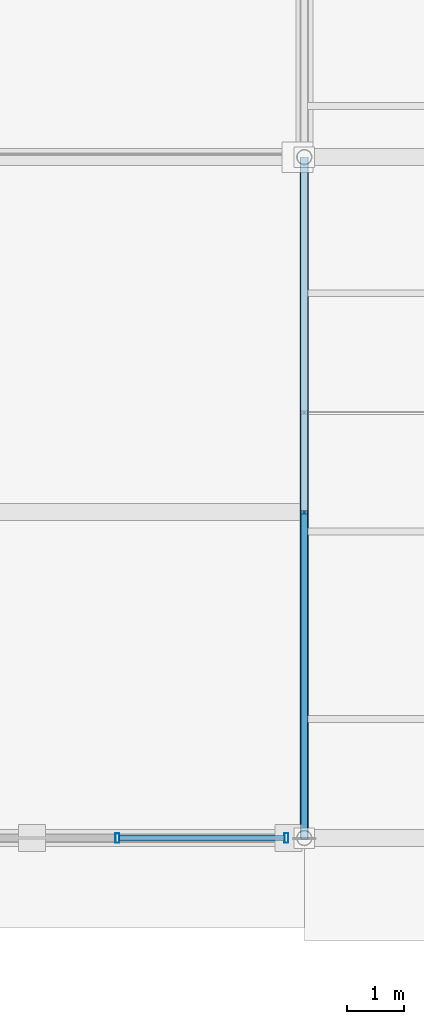
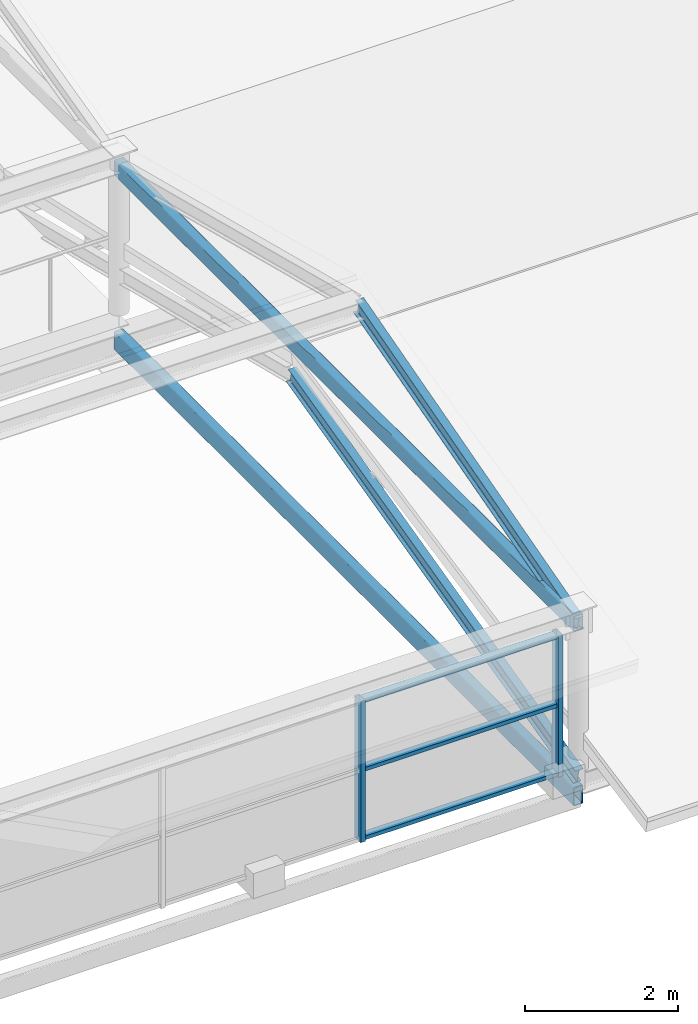
# One storey, part 44 of 117: 7 members, 2 beams, 1 element without a shape of its own.
"""IFC4 building model written with IfcOpenShell, lengths in metres."""

from ifc_helpers import new_model, si_unit, direction, frame, origin, origin_2d, place, context, subcontext, project, spatial, hollow_rectangle, i_section, extrude, material, material_profile, profile_set, type_object, element, aggregate, save


model = new_model("IFC4")

# Units and contexts
model_context = context("Model", 3, precision=1e-05, world=origin(), true_north=direction((0.0, 1.0)))
body_context = subcontext(model_context, "Body", "Model", "MODEL_VIEW")
ifc_project = project(units=[si_unit("LENGTHUNIT", "METRE"), si_unit("AREAUNIT", "SQUARE_METRE"), si_unit("VOLUMEUNIT", "CUBIC_METRE"), si_unit("PLANEANGLEUNIT", "RADIAN"), si_unit("MASSUNIT", "GRAM", prefix="KILO")], contexts=[model_context])

# Site, building, storey
site_placement = place(None, origin())
site = spatial("IfcSite", under=ifc_project, at=site_placement, CompositionType="ELEMENT")
building_placement = place(site_placement, origin())
building = spatial("IfcBuilding", under=site, at=building_placement, Name="Merenkruunu Market Hall", CompositionType="ELEMENT")
storey_placement = place(building_placement, frame((0.0, 0.0, 10.199951171875)))
storey = spatial("IfcBuildingStorey", under=building, at=storey_placement, Name="L02", CompositionType="ELEMENT", Elevation=10.199951171875)

# Curtain wall, members
ifc_material_1 = material(Name="Powder-coated aluminium", Category="aluminium")
curtain_wall_type = type_object("IfcCurtainWallType", Name="Glazed Curtain Wall CW16", PredefinedType="USERDEFINED", material=ifc_material_1)
curtain_wall_placement = place(storey_placement, origin())
curtain_wall = element("IfcCurtainWall", 1, at=curtain_wall_placement, inside=storey, type_object=curtain_wall_type, Name="CW-L02-CWM04-147", ObjectType="GLAZED_FACADE", PredefinedType="USERDEFINED")
ifc_material_profile_1 = material_profile(ifc_material_1, hollow_rectangle(XDim=0.070068359375, YDim=0.169921875, WallThickness=0.0048828125, at=origin_2d()), Name="ALU 70x170x5")
ifc_profile_set_1 = profile_set([ifc_material_profile_1], Name="Powder-coated aluminium")
member_type_1 = type_object("IfcMemberType", Name="Curtain Wall Mullion CWM04", PredefinedType="MULLION", material=ifc_profile_set_1)
member_1_placement = place(storey_placement, frame((76.485107421875, 15.60009765625, 0.0), z_axis=(0.0, 0.0, 1.0), x_axis=(-1.0, 0.0, 0.0)))
member_1 = element("IfcMember", 2, at=member_1_placement, type_object=member_type_1, Name="CW16 mullion 1", PredefinedType="MULLION", context=body_context, shape_type="SweptSolid", body=[
    extrude(hollow_rectangle(XDim=0.070068359375, YDim=0.169921875, WallThickness=0.0048828125, at=origin_2d()), origin(), (0.0, 0.0, 1.0), 2.25),
])
member_2_placement = place(storey_placement, frame((73.506591796875, 15.60009765625, 0.0), z_axis=(0.0, 0.0, 1.0), x_axis=(-1.0, 0.0, 0.0)))
member_2 = element("IfcMember", 3, at=member_2_placement, type_object=member_type_1, Name="CW16 mullion 2", PredefinedType="MULLION", context=body_context, shape_type="SweptSolid", body=[
    extrude(hollow_rectangle(XDim=0.070068359375, YDim=0.169921875, WallThickness=0.0048828125, at=origin_2d()), origin(), (0.0, 0.0, 1.0), 2.25),
])
ifc_material_profile_2 = material_profile(ifc_material_1, hollow_rectangle(XDim=0.06005859375, YDim=0.110107421875, WallThickness=0.00390625, at=origin_2d()), Name="ALU 60x110x4")
ifc_profile_set_2 = profile_set([ifc_material_profile_2], Name="Powder-coated aluminium")
member_type_2 = type_object("IfcMemberType", Name="Curtain Wall Transom CWT03", PredefinedType="USERDEFINED", material=ifc_profile_set_2)
member_3_placement = place(storey_placement, frame((76.449951171875, 15.60009765625, 0.030029296875), z_axis=(-1.0, 0.0, 0.0), x_axis=(0.0, 0.0, 1.0)))
member_3 = element("IfcMember", 4, at=member_3_placement, type_object=member_type_2, Name="CW16 transom 1.1", ObjectType="TRANSOM", PredefinedType="USERDEFINED", context=body_context, shape_type="SweptSolid", body=[
    extrude(hollow_rectangle(XDim=0.06005859375, YDim=0.110107421875, WallThickness=0.00390625, at=origin_2d()), origin(), (0.0, 0.0, 1.0), 2.908203125),
])
member_4_placement = place(storey_placement, frame((76.449951171875, 15.60009765625, 1.125), z_axis=(-1.0, 0.0, 0.0), x_axis=(0.0, 0.0, 1.0)))
member_4 = element("IfcMember", 5, at=member_4_placement, type_object=member_type_2, Name="CW16 transom 1.2", ObjectType="TRANSOM", PredefinedType="USERDEFINED", context=body_context, shape_type="SweptSolid", body=[
    extrude(hollow_rectangle(XDim=0.06005859375, YDim=0.110107421875, WallThickness=0.00390625, at=origin_2d()), origin(), (0.0, 0.0, 1.0), 2.908203125),
])
member_5_placement = place(storey_placement, frame((76.449951171875, 15.60009765625, 2.219970703125), z_axis=(-1.0, 0.0, 0.0), x_axis=(0.0, 0.0, 1.0)))
member_5 = element("IfcMember", 6, at=member_5_placement, type_object=member_type_2, Name="CW16 transom 1.3", ObjectType="TRANSOM", PredefinedType="USERDEFINED", context=body_context, shape_type="SweptSolid", body=[
    extrude(hollow_rectangle(XDim=0.06005859375, YDim=0.110107421875, WallThickness=0.00390625, at=origin_2d()), origin(), (0.0, 0.0, 1.0), 2.908203125),
])
aggregate(curtain_wall, [member_1, member_2, member_3, member_4, member_5])

# Beams
ifc_material_2 = material(Name="Steel S355J2", Category="steel")
ifc_material_profile_3 = material_profile(ifc_material_2, hollow_rectangle(XDim=0.14990234375, YDim=0.300048828125, WallThickness=0.012451171875, InnerFilletRadius=0.012451171875, OuterFilletRadius=0.02490234375, at=origin_2d()), Name="RHS 300x150x12.5")
ifc_profile_set_3 = profile_set([ifc_material_profile_3], Name="Steel S355J2")
beam_type_1 = type_object("IfcBeamType", Name="Perimeter Spandrel Beam SP03", PredefinedType="SPANDREL", material=ifc_profile_set_3)
beam_1_placement = place(storey_placement, frame((76.800048828125, 15.60009765625, -0.4599609375), z_axis=(0.0, 1.0, 0.0), x_axis=(-1.0, 0.0, 0.0)))
element("IfcBeam", 7, at=beam_1_placement, inside=storey, type_object=beam_type_1, Name="BM-L02-SP03-1221", PredefinedType="SPANDREL", context=body_context, shape_type="SweptSolid", body=[
    extrude(hollow_rectangle(XDim=0.14990234375, YDim=0.300048828125, WallThickness=0.012451171875, InnerFilletRadius=0.012451171875, OuterFilletRadius=0.02490234375, at=origin_2d()), origin(), (0.0, 0.0, 1.0), 12.0),
])
ifc_material_profile_4 = material_profile(ifc_material_2, hollow_rectangle(XDim=0.14990234375, YDim=0.25, WallThickness=0.010009765625, InnerFilletRadius=0.010009765625, OuterFilletRadius=0.02001953125, at=origin_2d()), Name="RHS 250x150x10")
ifc_profile_set_4 = profile_set([ifc_material_profile_4], Name="Steel S355J2")
beam_type_2 = type_object("IfcBeamType", Name="Perimeter Spandrel Beam SP04", PredefinedType="SPANDREL", material=ifc_profile_set_4)
beam_2_placement = place(storey_placement, frame((76.800048828125, 15.60009765625, 2.295166015625), z_axis=(0.0, 1.0, 0.0), x_axis=(-1.0, 0.0, 0.0)))
element("IfcBeam", 8, at=beam_2_placement, inside=storey, type_object=beam_type_2, Name="BM-L02-SP04-1268", PredefinedType="SPANDREL", context=body_context, shape_type="SweptSolid", body=[
    extrude(hollow_rectangle(XDim=0.14990234375, YDim=0.25, WallThickness=0.010009765625, InnerFilletRadius=0.010009765625, OuterFilletRadius=0.02001953125, at=origin_2d()), origin(), (0.0, 0.0, 1.0), 12.0),
])

# Members
ifc_material_3 = material(Name="Steel S355ML", Category="steel")
ifc_material_profile_5 = material_profile(ifc_material_3, i_section(OverallWidth=0.1201171875, OverallDepth=0.239990234375, WebThickness=0.006103515625, FlangeThickness=0.009765625, FilletRadius=0.014892578125, at=origin_2d()), Name="IPE 240")
ifc_profile_set_5 = profile_set([ifc_material_profile_5], Name="Steel S355ML")
member_type_3 = type_object("IfcMemberType", Name="Roof Purlin Rafter PR02", PredefinedType="PURLIN", material=ifc_profile_set_5)
member_6_placement = place(storey_placement, frame((76.800048828125, 15.60009765625, -0.14990234375), z_axis=(0.0, 0.970601665128, 0.240691519692), x_axis=(-1.0, 0.0, 0.0)))
element("IfcMember", 9, at=member_6_placement, inside=storey, type_object=member_type_3, Name="MEM-V2-RAFT-001", PredefinedType="PURLIN", context=body_context, shape_type="SweptSolid", body=[
    extrude(i_section(OverallWidth=0.1201171875, OverallDepth=0.239990234375, WebThickness=0.006103515625, FlangeThickness=0.009765625, FilletRadius=0.014892578125, at=origin_2d()), origin(), (0.0, 0.0, 1.0), 7.72705078125),
])
member_7_placement = place(storey_placement, frame((76.800048828125, 15.60009765625, 2.280029296875), z_axis=(0.0, 0.963319959631, 0.268355464591), x_axis=(-1.0, 0.0, 0.0)))
element("IfcMember", 10, at=member_7_placement, inside=storey, type_object=member_type_3, Name="MEM-V4-SAWR-003", PredefinedType="PURLIN", context=body_context, shape_type="SweptSolid", body=[
    extrude(i_section(OverallWidth=0.1201171875, OverallDepth=0.239990234375, WebThickness=0.006103515625, FlangeThickness=0.009765625, FilletRadius=0.014892578125, at=origin_2d()), origin(), (0.0, 0.0, 1.0), 5.962646484375),
])

save(model, "model.ifc")
